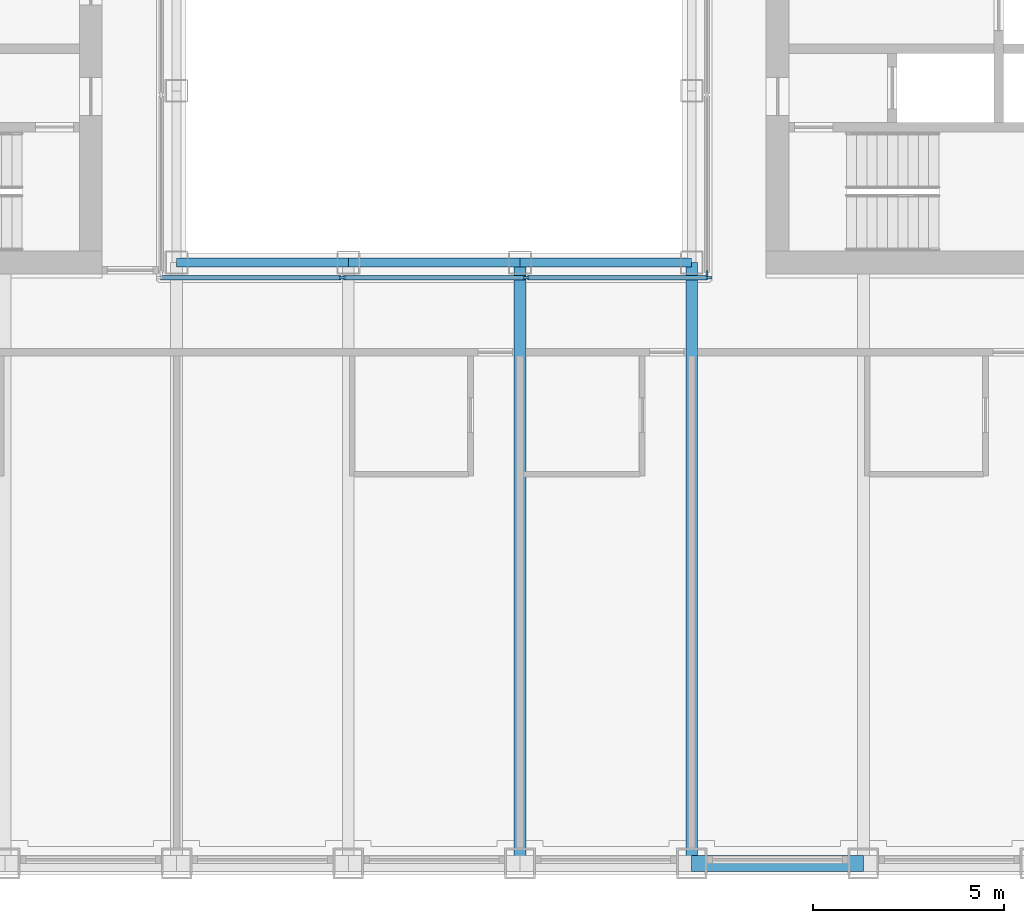
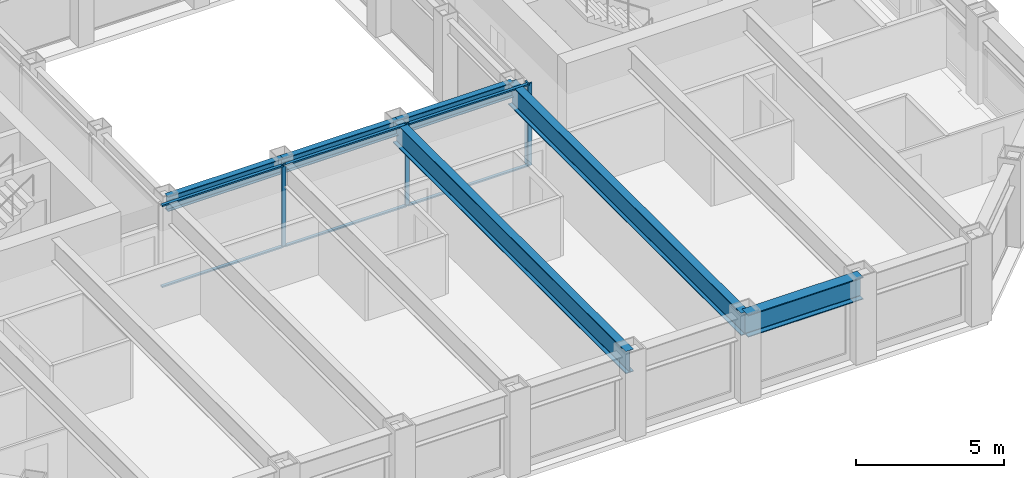
# One storey, part 3 of 17: 10 members, 6 beams, 2 elements without a shape of their own.
"""IFC4 building model written with IfcOpenShell, lengths in metres."""

import ifcopenshell
import ifcopenshell.guid

model = None  # the IFC model being written
_history = None  # IfcOwnerHistory: only IFC2X3 demands one
_inside = {}  # id of a spatial element -> (the spatial element, [elements in it])
_under = {}  # id of a project, library or spatial element -> (it, [spatial elements below it])
_declared = {}  # id of a project -> (the project, [libraries it declares])
_typed = {}  # id of a type object -> (the type object, [elements of that type])
_made_of = {}  # id of a material, layer set ... -> (it, [elements and type objects made of it])


def new_model(schema):
    """Start an empty IFC model of exactly this schema.

    Asked for "IFC4X3", IfcOpenShell would pick the latest addendum, in which some entities
    have other attributes; the version numbers below select the first issue.
    IFC2X3 requires an IfcOwnerHistory on every rooted entity: one is made here for all.
    """
    global model, _history
    if schema == "IFC4X3":
        model = ifcopenshell.file(schema_version=(4, 3, 0, 0))
    else:
        model = ifcopenshell.file(schema=schema)
    _inside.clear()
    _under.clear()
    _declared.clear()
    _typed.clear()
    _made_of.clear()
    _history = None
    if model.schema == "IFC2X3":
        org = make("IfcOrganization", Name="unknown")
        user = make(
            "IfcPersonAndOrganization",
            ThePerson=make("IfcPerson", FamilyName="unknown"),
            TheOrganization=org,
        )
        app = make(
            "IfcApplication",
            ApplicationDeveloper=org,
            Version="unknown",
            ApplicationFullName="unknown",
            ApplicationIdentifier="unknown",
        )
        _history = make(
            "IfcOwnerHistory",
            OwningUser=user,
            OwningApplication=app,
            ChangeAction="ADDED",
            CreationDate=0,
        )
    return model


def make(cls, **values):
    """One entity of the class cls with the attributes given. An attribute that is None is left unset."""
    return model.create_entity(
        cls, **{name: value for name, value in values.items() if value is not None}
    )


def rooted(cls, **values):
    """An entity with a GlobalId (a new one), such as an element, a storey or a relation."""
    return make(cls, GlobalId=ifcopenshell.guid.new(), OwnerHistory=_history, **values)


def si_unit(unit_type, name, prefix=None):
    """IfcSIUnit, for example si_unit("LENGTHUNIT", "METRE", prefix="MILLI")."""
    return make("IfcSIUnit", UnitType=unit_type, Prefix=prefix, Name=name)


def assignment(units):
    """IfcUnitAssignment: the units of a project."""
    return None if units is None else make("IfcUnitAssignment", Units=units)


def point(xyz):
    """IfcCartesianPoint."""
    return None if xyz is None else make("IfcCartesianPoint", Coordinates=xyz)


def direction(xyz):
    """IfcDirection."""
    return None if xyz is None else make("IfcDirection", DirectionRatios=xyz)


def frame(location, z_axis=None, x_axis=None):
    """IfcAxis2Placement3D, a coordinate frame: its origin and axes. An axis left out is left unset."""
    return make(
        "IfcAxis2Placement3D",
        Location=point(location),
        Axis=direction(z_axis),
        RefDirection=direction(x_axis),
    )


def frame_2d(location, x_axis=None):
    """IfcAxis2Placement2D, a coordinate frame in the plane: its origin and x axis."""
    return make(
        "IfcAxis2Placement2D", Location=point(location), RefDirection=direction(x_axis)
    )


def origin():
    """The frame at (0, 0, 0) with its axes left unset."""
    return frame((0.0, 0.0, 0.0))


def origin_2d():
    """The frame at (0, 0) in the plane with its x axis left unset."""
    return frame_2d((0.0, 0.0))


def place(relative_to, where):
    """IfcLocalPlacement: puts the frame where relative to a parent placement (None: the world)."""
    return make(
        "IfcLocalPlacement", PlacementRelTo=relative_to, RelativePlacement=where
    )


def context(
    kind, dimensions, precision=None, world=None, true_north=None, identifier=None
):
    """IfcGeometricRepresentationContext, for example the 3D "Model" context."""
    return make(
        "IfcGeometricRepresentationContext",
        ContextIdentifier=identifier,
        ContextType=kind,
        CoordinateSpaceDimension=dimensions,
        Precision=precision,
        WorldCoordinateSystem=world,
        TrueNorth=true_north,
    )


def subcontext(parent, identifier, kind, view, scale=None):
    """IfcGeometricRepresentationSubContext, for example "Body" below "Model"."""
    return make(
        "IfcGeometricRepresentationSubContext",
        ContextIdentifier=identifier,
        ContextType=kind,
        ParentContext=parent,
        TargetScale=scale,
        TargetView=view,
    )


def project(units=None, contexts=None):
    """IfcProject with its units and contexts."""
    return rooted(
        "IfcProject",
        Name="project",
        RepresentationContexts=contexts,
        UnitsInContext=assignment(units),
    )


def spatial(cls, under=None, at=None, **own):
    """A site, building, storey or space (cls), placed at a placement, below another one or the project."""
    s = rooted(cls, ObjectPlacement=at, **own)
    if under is not None:
        _under.setdefault(under.id(), (under, []))[1].append(s)
    return s


def profile(cls, at=None, kind="AREA", **sizes):
    """A parametric profile (cls). Its sizes go by their IFC names, for example OverallWidth=200.0."""
    return make(cls, ProfileType=kind, Position=at, **sizes)


def rectangle(**sizes):
    """IfcRectangleProfileDef."""
    return profile("IfcRectangleProfileDef", **sizes)


def i_section(**sizes):
    """IfcIShapeProfileDef."""
    return profile("IfcIShapeProfileDef", **sizes)


def extrude(swept, where, along, depth):
    """IfcExtrudedAreaSolid: the profile swept, set in the frame where, extruded along a direction by depth."""
    return make(
        "IfcExtrudedAreaSolid",
        SweptArea=swept,
        Position=where,
        ExtrudedDirection=direction(along),
        Depth=depth,
    )


def shape(context_of_items, identifier, shape_type, items):
    """IfcShapeRepresentation: the items that make up one representation, for example the "Body"."""
    return make(
        "IfcShapeRepresentation",
        ContextOfItems=context_of_items,
        RepresentationIdentifier=identifier,
        RepresentationType=shape_type,
        Items=items,
    )


def material(Name=None, Category=None):
    """IfcMaterial."""
    return make("IfcMaterial", Name=Name, Category=Category)


def material_profile(
    of_material, cross_section, Name=None, Category=None, Priority=None
):
    """IfcMaterialProfile: a cross section and its material."""
    return make(
        "IfcMaterialProfile",
        Name=Name,
        Material=of_material,
        Profile=cross_section,
        Priority=Priority,
        Category=Category,
    )


def profile_set(profiles, Name=None, composite=None):
    """IfcMaterialProfileSet."""
    return make(
        "IfcMaterialProfileSet",
        Name=Name,
        MaterialProfiles=profiles,
        CompositeProfile=composite,
    )


def made_of(thing, what):
    """Note that an element or type object is made of a material, layer set ...; save() writes the relation."""
    if what is not None:
        _made_of.setdefault(what.id(), (what, []))[1].append(thing)
    return thing


def type_object(cls, material=None, **own):
    """A type object (cls), such as IfcWallType, which elements share."""
    return made_of(rooted(cls, **own), material)


def element(
    cls,
    number,
    at=None,
    inside=None,
    cuts=None,
    type_object=None,
    material=None,
    context=None,
    identifier="Body",
    shape_type=None,
    held_by="IfcProductDefinitionShape",
    body=None,
    shapes=None,
    **own,
):
    """One element of the class cls, such as IfcWall. Its Tag is "e" and its number.

    at: its placement. inside: the storey or other place that contains it. cuts: it is an
    opening in that element (IfcRelVoidsElement). A single representation is given by context,
    identifier, shape_type and body (its items); several are given by shapes. held_by: the class
    of the entity that holds the representations. save() writes the other relations.
    """
    e = rooted(cls, Tag="e%d" % number, ObjectPlacement=at, **own)
    if body is not None:
        shapes = [shape(context, identifier, shape_type, body)]
    if shapes is not None:
        e.Representation = make(held_by, Representations=shapes)
    if inside is not None:
        _inside.setdefault(inside.id(), (inside, []))[1].append(e)
    if cuts is not None:
        rooted(
            "IfcRelVoidsElement", RelatingBuildingElement=cuts, RelatedOpeningElement=e
        )
    if type_object is not None:
        _typed.setdefault(type_object.id(), (type_object, []))[1].append(e)
    return made_of(e, material)


def aggregate(whole, parts):
    """IfcRelAggregates: a whole, such as a stair, and the parts it consists of."""
    return rooted("IfcRelAggregates", RelatingObject=whole, RelatedObjects=parts)


def save(model, path):
    """Write the relations noted so far, then the file.

    IfcRelAggregates (storeys below a building ...), IfcRelContainedInSpatialStructure (elements
    in a storey), IfcRelDefinesByType, IfcRelAssociatesMaterial and IfcRelDeclares: one each for
    every whole, place, type object, material and project.
    """
    for whole, parts in _under.values():
        aggregate(whole, parts)
    for where, things in _inside.values():
        rooted(
            "IfcRelContainedInSpatialStructure",
            RelatedElements=things,
            RelatingStructure=where,
        )
    for kind, things in _typed.values():
        rooted("IfcRelDefinesByType", RelatedObjects=things, RelatingType=kind)
    for what, things in _made_of.values():
        rooted("IfcRelAssociatesMaterial", RelatedObjects=things, RelatingMaterial=what)
    for by, libraries in _declared.values():
        rooted("IfcRelDeclares", RelatingContext=by, RelatedDefinitions=libraries)
    model.write(path)


model = new_model("IFC4")

# Units and contexts
model_context = context("Model", 3, precision=1e-05, world=origin(), true_north=direction((0.0, 1.0)))
body_context = subcontext(model_context, "Body", "Model", "MODEL_VIEW")
ifc_project = project(units=[si_unit("LENGTHUNIT", "METRE"), si_unit("AREAUNIT", "SQUARE_METRE"), si_unit("VOLUMEUNIT", "CUBIC_METRE"), si_unit("PLANEANGLEUNIT", "RADIAN"), si_unit("MASSUNIT", "GRAM", prefix="KILO")], contexts=[model_context])

# Site, building, storey
site_placement = place(None, origin())
site = spatial("IfcSite", under=ifc_project, at=site_placement, CompositionType="ELEMENT")
building_placement = place(site_placement, origin())
building = spatial("IfcBuilding", under=site, at=building_placement, Name="Msasa Ring Tower", CompositionType="ELEMENT")
storey_placement = place(building_placement, frame((0.0, 0.0, 161.60009765625)))
storey = spatial("IfcBuildingStorey", under=building, at=storey_placement, Name="L42", CompositionType="ELEMENT", Elevation=161.60009765625)

# Curtain wall, members
ifc_material_1 = material(Name="Aluminium curtain wall with clear glass", Category="aluminium")
curtain_wall_type = type_object("IfcCurtainWallType", Name="CW-W LIGHT WELL CURTAIN WALL", PredefinedType="NOTDEFINED", material=ifc_material_1)
curtain_wall_1_placement = place(storey_placement, origin())
curtain_wall_1 = element("IfcCurtainWall", 1, at=curtain_wall_1_placement, inside=storey, type_object=curtain_wall_type, Name="Light well curtain wall S L42", PredefinedType="NOTDEFINED")
ifc_material_2 = material(Name="Aluminium mullion", Category="aluminium")
ifc_material_profile_1 = material_profile(ifc_material_2, rectangle(XDim=0.06005859375, YDim=0.159912109375, at=origin_2d()), Name="AL 60x160")
ifc_profile_set_1 = profile_set([ifc_material_profile_1], Name="Aluminium mullion")
member_type_1 = type_object("IfcMemberType", Name="CW-W MULLION 60x160", PredefinedType="MULLION", material=ifc_profile_set_1)
member_1_placement = place(storey_placement, frame((-2.409912109375, -7.14990234375, 0.0), z_axis=(0.0, 0.0, 1.0), x_axis=(0.0, 1.0, 0.0)))
member_1 = element("IfcMember", 2, at=member_1_placement, type_object=member_type_1, Name="CW-W mullion 2", PredefinedType="MULLION", context=body_context, shape_type="SweptSolid", body=[
    extrude(rectangle(XDim=0.06005859375, YDim=0.159912109375, at=origin_2d()), origin(), (0.0, 0.0, 1.0), 3.39990234375),
])
member_2_placement = place(storey_placement, frame((2.409912109375, -7.14990234375, 0.0), z_axis=(0.0, 0.0, 1.0), x_axis=(0.0, 1.0, 0.0)))
member_2 = element("IfcMember", 3, at=member_2_placement, type_object=member_type_1, Name="CW-W mullion 3", PredefinedType="MULLION", context=body_context, shape_type="SweptSolid", body=[
    extrude(rectangle(XDim=0.06005859375, YDim=0.159912109375, at=origin_2d()), origin(), (0.0, 0.0, 1.0), 3.39990234375),
])
member_3_placement = place(storey_placement, frame((7.199951171875, -7.14990234375, 0.0), z_axis=(0.0, 0.0, 1.0), x_axis=(0.0, 1.0, 0.0)))
member_3 = element("IfcMember", 4, at=member_3_placement, type_object=member_type_1, Name="CW-W mullion 4", PredefinedType="MULLION", context=body_context, shape_type="SweptSolid", body=[
    extrude(rectangle(XDim=0.06005859375, YDim=0.159912109375, at=origin_2d()), origin(), (0.0, 0.0, 1.0), 3.39990234375),
])

# Curtain wall, member
curtain_wall_2_placement = place(storey_placement, origin())
curtain_wall_2 = element("IfcCurtainWall", 5, at=curtain_wall_2_placement, inside=storey, type_object=curtain_wall_type, Name="Light well curtain wall E L42", PredefinedType="NOTDEFINED")
member_4_placement = place(storey_placement, frame((7.14990234375, -7.0400390625, 0.0), z_axis=(0.0, 0.0, 1.0), x_axis=(-1.0, 0.0, 0.0)))
member_4 = element("IfcMember", 6, at=member_4_placement, type_object=member_type_1, Name="CW-W mullion 1", PredefinedType="MULLION", context=body_context, shape_type="SweptSolid", body=[
    extrude(rectangle(XDim=0.06005859375, YDim=0.159912109375, at=origin_2d()), origin(), (0.0, 0.0, 1.0), 3.39990234375),
])
aggregate(curtain_wall_2, [member_4])

# Member
ifc_material_3 = material(Name="Aluminium transom", Category="aluminium")
ifc_material_profile_2 = material_profile(ifc_material_3, rectangle(XDim=0.1201171875, YDim=0.06005859375, at=origin_2d()), Name="AL 60x120")
ifc_profile_set_2 = profile_set([ifc_material_profile_2], Name="Aluminium transom")
member_type_2 = type_object("IfcMemberType", Name="CW-W TRANSOM 60x120", PredefinedType="USERDEFINED", material=ifc_profile_set_2)
member_5_placement = place(storey_placement, frame((-7.169921875, -7.14990234375, 0.02978515625), z_axis=(1.0, 0.0, 0.0), x_axis=(0.0, 1.0, 0.0)))
member_5 = element("IfcMember", 7, at=member_5_placement, type_object=member_type_2, Name="CW-W transom 1.1", ObjectType="TRANSOM", PredefinedType="USERDEFINED", context=body_context, shape_type="SweptSolid", body=[
    extrude(rectangle(XDim=0.1201171875, YDim=0.06005859375, at=origin_2d()), origin(), (0.0, 0.0, 1.0), 4.72998046875),
])

member_6_placement = place(storey_placement, frame((-7.169921875, -7.14990234375, 3.369873046875), z_axis=(1.0, 0.0, 0.0), x_axis=(0.0, 1.0, 0.0)))
member_6 = element("IfcMember", 8, at=member_6_placement, type_object=member_type_2, Name="CW-W transom 1.2", ObjectType="TRANSOM", PredefinedType="USERDEFINED", context=body_context, shape_type="SweptSolid", body=[
    extrude(rectangle(XDim=0.1201171875, YDim=0.06005859375, at=origin_2d()), origin(), (0.0, 0.0, 1.0), 4.72998046875),
])

member_7_placement = place(storey_placement, frame((-2.3798828125, -7.14990234375, 0.02978515625), z_axis=(1.0, 0.0, 0.0), x_axis=(0.0, 1.0, 0.0)))
member_7 = element("IfcMember", 9, at=member_7_placement, type_object=member_type_2, Name="CW-W transom 2.1", ObjectType="TRANSOM", PredefinedType="USERDEFINED", context=body_context, shape_type="SweptSolid", body=[
    extrude(rectangle(XDim=0.1201171875, YDim=0.06005859375, at=origin_2d()), origin(), (0.0, 0.0, 1.0), 4.759765625),
])

member_8_placement = place(storey_placement, frame((-2.3798828125, -7.14990234375, 3.369873046875), z_axis=(1.0, 0.0, 0.0), x_axis=(0.0, 1.0, 0.0)))
member_8 = element("IfcMember", 10, at=member_8_placement, type_object=member_type_2, Name="CW-W transom 2.2", ObjectType="TRANSOM", PredefinedType="USERDEFINED", context=body_context, shape_type="SweptSolid", body=[
    extrude(rectangle(XDim=0.1201171875, YDim=0.06005859375, at=origin_2d()), origin(), (0.0, 0.0, 1.0), 4.759765625),
])

member_9_placement = place(storey_placement, frame((2.43994140625, -7.14990234375, 0.02978515625), z_axis=(1.0, 0.0, 0.0), x_axis=(0.0, 1.0, 0.0)))
member_9 = element("IfcMember", 11, at=member_9_placement, type_object=member_type_2, Name="CW-W transom 3.1", ObjectType="TRANSOM", PredefinedType="USERDEFINED", context=body_context, shape_type="SweptSolid", body=[
    extrude(rectangle(XDim=0.1201171875, YDim=0.06005859375, at=origin_2d()), origin(), (0.0, 0.0, 1.0), 4.72998046875),
])

member_10_placement = place(storey_placement, frame((2.43994140625, -7.14990234375, 3.369873046875), z_axis=(1.0, 0.0, 0.0), x_axis=(0.0, 1.0, 0.0)))
member_10 = element("IfcMember", 12, at=member_10_placement, type_object=member_type_2, Name="CW-W transom 3.2", ObjectType="TRANSOM", PredefinedType="USERDEFINED", context=body_context, shape_type="SweptSolid", body=[
    extrude(rectangle(XDim=0.1201171875, YDim=0.06005859375, at=origin_2d()), origin(), (0.0, 0.0, 1.0), 4.72998046875),
])

aggregate(curtain_wall_1, [member_1, member_2, member_3, member_5, member_6, member_7, member_8, member_9, member_10])

# Beams
ifc_material_4 = material(Name="Steel S355", Category="steel")
ifc_material_profile_3 = material_profile(ifc_material_4, i_section(OverallWidth=0.3076171875, OverallDepth=0.926513671875, WebThickness=0.01953125, FlangeThickness=0.031982421875, FilletRadius=0.01904296875, at=origin_2d()), Name="UB 914x305x289")
ifc_profile_set_3 = profile_set([ifc_material_profile_3], Name="Steel S355")
beam_type_1 = type_object("IfcBeamType", Name="FB3 UB 914x305x289", PredefinedType="BEAM", material=ifc_profile_set_3)
for number, where, z_axis, x_axis, name in (
    (13, (2.25, -22.5, 2.9365234375), (0.0, 1.0, 0.0), (-1.0, 0.0, 0.0), "Floor beam S+2.25 under L43"),
    (14, (6.75, -22.5, 2.9365234375), (0.0, 1.0, 0.0), (-1.0, 0.0, 0.0), "Floor beam S+6.75 under L43"),
):
    element("IfcBeam", number, at=place(storey_placement, frame(where, z_axis=z_axis, x_axis=x_axis)), inside=storey, type_object=beam_type_1, Name=name, PredefinedType="BEAM", context=body_context, shape_type="SweptSolid", body=[
        extrude(i_section(OverallWidth=0.3076171875, OverallDepth=0.926513671875, WebThickness=0.01953125, FlangeThickness=0.031982421875, FilletRadius=0.01904296875, at=origin_2d()), origin(), (0.0, 0.0, 1.0), 15.75),
    ])
ifc_material_5 = material(Name="Steel S355", Category="steel")
ifc_material_profile_4 = material_profile(ifc_material_5, i_section(OverallWidth=0.230224609375, OverallDepth=0.6171875, WebThickness=0.01318359375, FlangeThickness=0.022216796875, FilletRadius=0.0126953125, at=origin_2d()), Name="UB 610x229x140")
ifc_profile_set_4 = profile_set([ifc_material_profile_4], Name="Steel S355")
beam_type_2 = type_object("IfcBeamType", Name="RB1 UB 610x229x140", PredefinedType="BEAM", material=ifc_profile_set_4)
for number, where, z_axis, x_axis, name in (
    (15, (-6.75, -6.75, 3.09130859375), (1.0, 0.0, 0.0), (0.0, 1.0, 0.0), "Inner ring beam IR-6.75-6.75 under L43"),
    (16, (-2.25, -6.75, 3.09130859375), (1.0, 0.0, 0.0), (0.0, 1.0, 0.0), "Inner ring beam IR-2.25-6.75 under L43"),
    (17, (2.25, -6.75, 3.09130859375), (1.0, 0.0, 0.0), (0.0, 1.0, 0.0), "Inner ring beam IR+2.25-6.75 under L43"),
):
    element("IfcBeam", number, at=place(storey_placement, frame(where, z_axis=z_axis, x_axis=x_axis)), inside=storey, type_object=beam_type_2, Name=name, PredefinedType="BEAM", context=body_context, shape_type="SweptSolid", body=[
        extrude(i_section(OverallWidth=0.230224609375, OverallDepth=0.6171875, WebThickness=0.01318359375, FlangeThickness=0.022216796875, FilletRadius=0.0126953125, at=origin_2d()), origin(), (0.0, 0.0, 1.0), 4.5),
    ])
ifc_material_6 = material(Name="Steel S355", Category="steel")
ifc_material_profile_5 = material_profile(ifc_material_6, i_section(OverallWidth=0.42041015625, OverallDepth=0.9208984375, WebThickness=0.021484375, FlangeThickness=0.03662109375, FilletRadius=0.024169921875, at=origin_2d()), Name="UB 914x419x388")
ifc_profile_set_5 = profile_set([ifc_material_profile_5], Name="Steel S355")
beam_type_3 = type_object("IfcBeamType", Name="SB1 UB 914x419x388", PredefinedType="SPANDREL", material=ifc_profile_set_5)
beam_placement = place(storey_placement, frame((6.75, -22.5, 2.939453125), z_axis=(1.0, 0.0, 0.0), x_axis=(0.0, 1.0, 0.0)))
element("IfcBeam", 18, at=beam_placement, inside=storey, type_object=beam_type_3, Name="Spandrel S+6.75 to S+11.25 under L43", PredefinedType="SPANDREL", context=body_context, shape_type="SweptSolid", body=[
    extrude(i_section(OverallWidth=0.42041015625, OverallDepth=0.9208984375, WebThickness=0.021484375, FlangeThickness=0.03662109375, FilletRadius=0.024169921875, at=origin_2d()), origin(), (0.0, 0.0, 1.0), 4.5),
])

save(model, "model.ifc")
